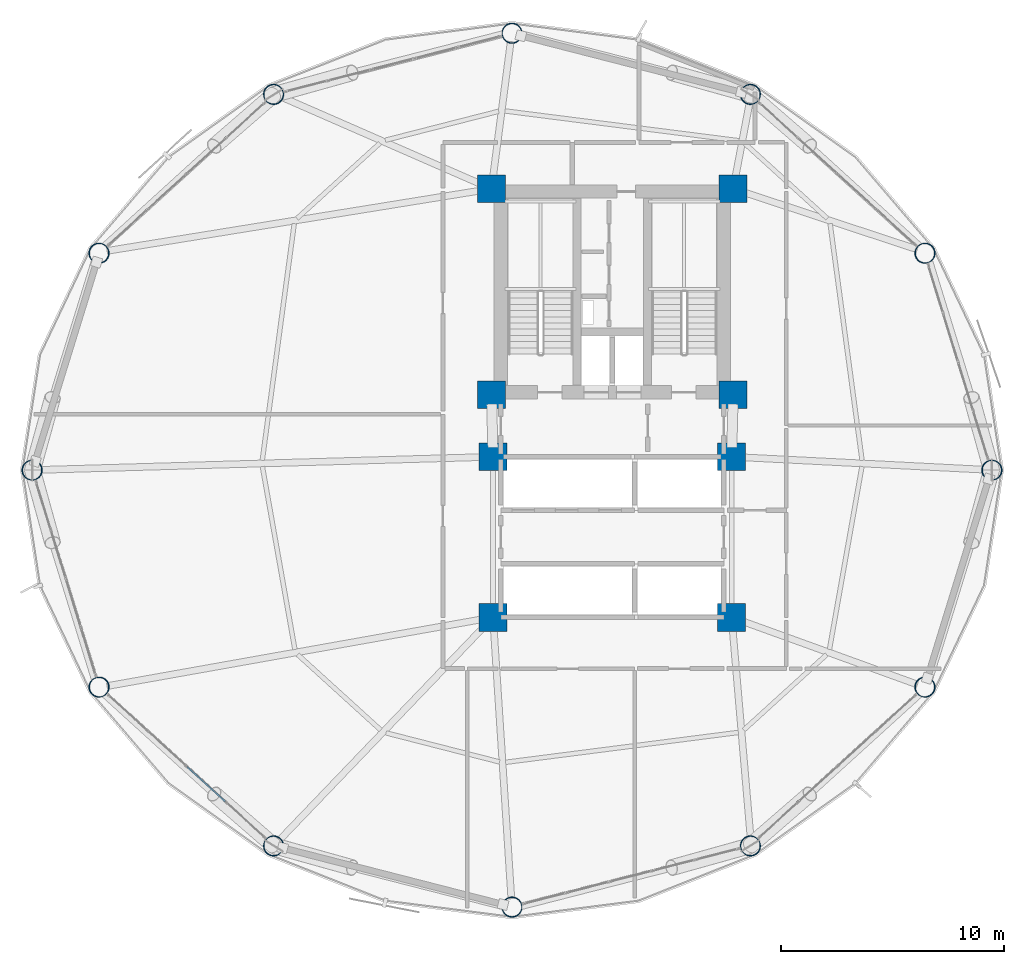
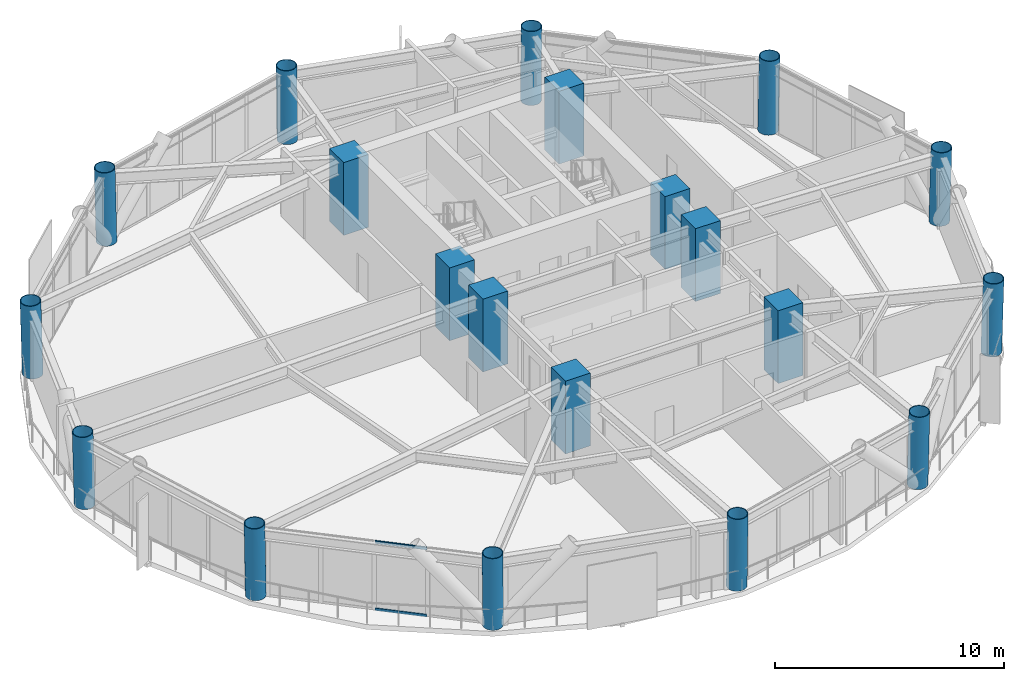
# One storey, part 1 of 25: 20 columns, 2 members, 1 element without a shape of its own.
"""IFC4 building model written with IfcOpenShell, lengths in metres."""

from ifc_helpers import new_model, si_unit, direction, frame, origin, origin_2d, place, context, subcontext, project, spatial, rectangle, hollow_rectangle, hollow_circle, extrude, material, layer, layer_set, material_profile, profile_set, type_object, element, aggregate, save


model = new_model("IFC4")

# Units and contexts
model_context = context("Model", 3, precision=1e-05, world=origin(), true_north=direction((0.0, 1.0)))
body_context = subcontext(model_context, "Body", "Model", "MODEL_VIEW")
ifc_project = project(units=[si_unit("LENGTHUNIT", "METRE"), si_unit("AREAUNIT", "SQUARE_METRE"), si_unit("VOLUMEUNIT", "CUBIC_METRE"), si_unit("PLANEANGLEUNIT", "RADIAN"), si_unit("MASSUNIT", "GRAM", prefix="KILO")], contexts=[model_context])

# Site, building, storey
site_placement = place(None, origin())
site = spatial("IfcSite", under=ifc_project, at=site_placement, CompositionType="ELEMENT")
building_placement = place(site_placement, origin())
building = spatial("IfcBuilding", under=site, at=building_placement, Name="Varnakorn Sky Granary", CompositionType="ELEMENT")
storey_placement = place(building_placement, frame((0.0, 0.0, 62.699951171875)))
storey = spatial("IfcBuildingStorey", under=building, at=storey_placement, Name="L15", CompositionType="ELEMENT", Elevation=62.699951171875)

# Columns
ifc_material_1 = material(Name="Steel S460M", Category="steel")
ifc_material_profile_1 = material_profile(ifc_material_1, hollow_circle(Radius=0.45703125, WallThickness=0.031982421875, at=origin_2d()), Name="CHS 914x32")
ifc_profile_set_1 = profile_set([ifc_material_profile_1], Name="Steel S460M")
column_type_1 = type_object("IfcColumnType", Name="COL-DC-Z1", PredefinedType="COLUMN", material=ifc_profile_set_1)
column_1_placement = place(storey_placement, frame((20.006103515625, 0.0, 0.0), z_axis=(0.026515371649, 0.0, 0.999648405724), x_axis=(0.0, 1.0, 0.0)))
element("IfcColumn", 1, at=column_1_placement, inside=storey, type_object=column_type_1, Name="Drum Perimeter Column DC01 L15", PredefinedType="COLUMN", context=body_context, shape_type="SweptSolid", body=[
    extrude(hollow_circle(Radius=0.45703125, WallThickness=0.031982421875, at=origin_2d()), origin(), (0.0, 0.0, 1.0), 3.87646484375),
])
column_2_placement = place(storey_placement, frame((17.0078125, 9.72412109375, 0.0), z_axis=(0.022989211418, 0.01014044668, 0.999684283911), x_axis=(-0.403578491135, 0.914945026487, 0.0)))
element("IfcColumn", 2, at=column_2_placement, inside=storey, type_object=column_type_1, Name="Drum Perimeter Column DC02 L15", PredefinedType="COLUMN", context=body_context, shape_type="SweptSolid", body=[
    extrude(hollow_circle(Radius=0.45703125, WallThickness=0.031982421875, at=origin_2d()), origin(), (0.0, 0.0, 1.0), 3.876220703125),
])
column_3_placement = place(storey_placement, frame((9.185546875, 16.842529296875, 0.0), z_axis=(0.013290608719, 0.017636826737, 0.999756121293), x_axis=(-0.798628839349, 0.601823875366, 0.0)))
element("IfcColumn", 3, at=column_3_placement, inside=storey, type_object=column_type_1, Name="Drum Perimeter Column DC03 L15", PredefinedType="COLUMN", context=body_context, shape_type="SweptSolid", body=[
    extrude(hollow_circle(Radius=0.45703125, WallThickness=0.031982421875, at=origin_2d()), origin(), (0.0, 0.0, 1.0), 3.8759765625),
])
column_4_placement = place(storey_placement, frame((-1.5, 19.5830078125, 0.0), z_axis=(0.0, 0.020409054637, 0.999791713553), x_axis=(-1.0, 0.0, 0.0)))
element("IfcColumn", 4, at=column_4_placement, inside=storey, type_object=column_type_1, Name="Drum Perimeter Column DC04 L15", PredefinedType="COLUMN", context=body_context, shape_type="SweptSolid", body=[
    extrude(hollow_circle(Radius=0.45703125, WallThickness=0.031982421875, at=origin_2d()), origin(), (0.0, 0.0, 1.0), 3.875732421875),
])
column_5_placement = place(storey_placement, frame((-12.185546875, 16.842529296875, 0.0), z_axis=(-0.013290608719, 0.017636826737, 0.999756121293), x_axis=(-0.798628839349, -0.601823875366, 0.0)))
element("IfcColumn", 5, at=column_5_placement, inside=storey, type_object=column_type_1, Name="Drum Perimeter Column DC05 L15", PredefinedType="COLUMN", context=body_context, shape_type="SweptSolid", body=[
    extrude(hollow_circle(Radius=0.45703125, WallThickness=0.031982421875, at=origin_2d()), origin(), (0.0, 0.0, 1.0), 3.8759765625),
])
column_6_placement = place(storey_placement, frame((-20.0078125, 9.72412109375, 0.0), z_axis=(-0.022989211418, 0.01014044668, 0.999684283911), x_axis=(-0.403578491135, -0.914945026487, 0.0)))
element("IfcColumn", 6, at=column_6_placement, inside=storey, type_object=column_type_1, Name="Drum Perimeter Column DC06 L15", PredefinedType="COLUMN", context=body_context, shape_type="SweptSolid", body=[
    extrude(hollow_circle(Radius=0.45703125, WallThickness=0.031982421875, at=origin_2d()), origin(), (0.0, 0.0, 1.0), 3.876220703125),
])
column_7_placement = place(storey_placement, frame((-23.006103515625, 0.0, 0.0), z_axis=(-0.026515371649, 0.0, 0.999648405724), x_axis=(0.0, -1.0, 0.0)))
element("IfcColumn", 7, at=column_7_placement, inside=storey, type_object=column_type_1, Name="Drum Perimeter Column DC07 L15", PredefinedType="COLUMN", context=body_context, shape_type="SweptSolid", body=[
    extrude(hollow_circle(Radius=0.45703125, WallThickness=0.031982421875, at=origin_2d()), origin(), (0.0, 0.0, 1.0), 3.87646484375),
])
column_8_placement = place(storey_placement, frame((-20.0078125, -9.72412109375, 0.0), z_axis=(-0.022989211418, -0.01014044668, 0.999684283911), x_axis=(0.403578491135, -0.914945026487, 0.0)))
element("IfcColumn", 8, at=column_8_placement, inside=storey, type_object=column_type_1, Name="Drum Perimeter Column DC08 L15", PredefinedType="COLUMN", context=body_context, shape_type="SweptSolid", body=[
    extrude(hollow_circle(Radius=0.45703125, WallThickness=0.031982421875, at=origin_2d()), origin(), (0.0, 0.0, 1.0), 3.876220703125),
])
column_9_placement = place(storey_placement, frame((-12.185546875, -16.842529296875, 0.0), z_axis=(-0.013290608719, -0.017636826737, 0.999756121293), x_axis=(0.798628839349, -0.601823875366, 0.0)))
element("IfcColumn", 9, at=column_9_placement, inside=storey, type_object=column_type_1, Name="Drum Perimeter Column DC09 L15", PredefinedType="COLUMN", context=body_context, shape_type="SweptSolid", body=[
    extrude(hollow_circle(Radius=0.45703125, WallThickness=0.031982421875, at=origin_2d()), origin(), (0.0, 0.0, 1.0), 3.8759765625),
])
column_10_placement = place(storey_placement, frame((-1.5, -19.5830078125, 0.0), z_axis=(0.0, -0.020409054637, 0.999791713553), x_axis=(1.0, 0.0, 0.0)))
element("IfcColumn", 10, at=column_10_placement, inside=storey, type_object=column_type_1, Name="Drum Perimeter Column DC10 L15", PredefinedType="COLUMN", context=body_context, shape_type="SweptSolid", body=[
    extrude(hollow_circle(Radius=0.45703125, WallThickness=0.031982421875, at=origin_2d()), origin(), (0.0, 0.0, 1.0), 3.875732421875),
])
column_11_placement = place(storey_placement, frame((9.185546875, -16.842529296875, 0.0), z_axis=(0.013290608719, -0.017636826737, 0.999756121293), x_axis=(0.798628839349, 0.601823875366, 0.0)))
element("IfcColumn", 11, at=column_11_placement, inside=storey, type_object=column_type_1, Name="Drum Perimeter Column DC11 L15", PredefinedType="COLUMN", context=body_context, shape_type="SweptSolid", body=[
    extrude(hollow_circle(Radius=0.45703125, WallThickness=0.031982421875, at=origin_2d()), origin(), (0.0, 0.0, 1.0), 3.8759765625),
])
column_12_placement = place(storey_placement, frame((17.0078125, -9.72412109375, 0.0), z_axis=(0.022989211418, -0.01014044668, 0.999684283911), x_axis=(0.403578491135, 0.914945026487, 0.0)))
element("IfcColumn", 12, at=column_12_placement, inside=storey, type_object=column_type_1, Name="Drum Perimeter Column DC12 L15", PredefinedType="COLUMN", context=body_context, shape_type="SweptSolid", body=[
    extrude(hollow_circle(Radius=0.45703125, WallThickness=0.031982421875, at=origin_2d()), origin(), (0.0, 0.0, 1.0), 3.876220703125),
])
ifc_material_2 = material(Name="Concrete C60/75", Category="concrete")
ifc_material_profile_2 = material_profile(ifc_material_2, rectangle(XDim=1.25, YDim=1.25, at=origin_2d()), Name="RC 1250x1250")
ifc_profile_set_2 = profile_set([ifc_material_profile_2], Name="Concrete C60/75")
column_type_2 = type_object("IfcColumnType", Name="COL-MC-Z1", PredefinedType="COLUMN", material=ifc_profile_set_2)
for number, where, z_axis, x_axis, name in (
    (13, (-2.419921875, 12.6201171875, 0.0), (0.0, 0.0, 1.0), (1.0, 0.0, 0.0), "Backbone Mega-Column MC1 L15"),
    (14, (8.419921875, 12.6201171875, 0.0), (0.0, 0.0, 1.0), (1.0, 0.0, 0.0), "Backbone Mega-Column MC2 L15"),
    (15, (-2.419921875, 3.3798828125, 0.0), (0.0, 0.0, 1.0), (1.0, 0.0, 0.0), "Backbone Mega-Column MC3 L15"),
    (16, (8.419921875, 3.3798828125, 0.0), (0.0, 0.0, 1.0), (1.0, 0.0, 0.0), "Backbone Mega-Column MC4 L15"),
    (17, (-2.35009765625, 0.60009765625, 0.0), (0.0, 0.0, 1.0), (1.0, 0.0, 0.0), "Backbone Mega-Column MC5 L15"),
    (18, (8.35009765625, 0.60009765625, 0.0), (0.0, 0.0, 1.0), (1.0, 0.0, 0.0), "Backbone Mega-Column MC6 L15"),
    (19, (-2.35009765625, -6.60009765625, 0.0), (0.0, 0.0, 1.0), (1.0, 0.0, 0.0), "Backbone Mega-Column MC7 L15"),
    (20, (8.35009765625, -6.60009765625, 0.0), (0.0, 0.0, 1.0), (1.0, 0.0, 0.0), "Backbone Mega-Column MC8 L15"),
):
    element("IfcColumn", number, at=place(storey_placement, frame(where, z_axis=z_axis, x_axis=x_axis)), inside=storey, type_object=column_type_2, Name=name, PredefinedType="COLUMN", context=body_context, shape_type="SweptSolid", body=[
        extrude(rectangle(XDim=1.25, YDim=1.25, at=origin_2d()), origin(), (0.0, 0.0, 1.0), 3.875),
    ])

# Curtain wall, members
ifc_material_3 = material(Name="Anodised Bronze Aluminium Alloy 6063-T6", Category="aluminium")
ifc_layer = layer(ifc_material_3, 0.18994140625, Name="Anodised Bronze Aluminium Alloy 6063-T6")
ifc_layer_set = layer_set([ifc_layer], Name="Anodised Bronze Aluminium Alloy 6063-T6")
curtain_wall_type = type_object("IfcCurtainWallType", Name="CW-FRM-1", PredefinedType="USERDEFINED", material=ifc_layer_set)
curtain_wall_placement = place(storey_placement, origin())
curtain_wall = element("IfcCurtainWall", 21, at=curtain_wall_placement, inside=storey, type_object=curtain_wall_type, Name="Unitised Curtain Wall CW3 CW-L15-B08", ObjectType="CURTAIN WALL", PredefinedType="USERDEFINED")
ifc_material_profile_3 = material_profile(ifc_material_3, hollow_rectangle(XDim=0.070068359375, YDim=0.139892578125, WallThickness=0.00341796875, at=origin_2d()), Name="ALU TRAN 70x140")
ifc_profile_set_3 = profile_set([ifc_material_profile_3], Name="Anodised Bronze Aluminium Alloy 6063-T6")
member_type = type_object("IfcMemberType", Name="CW-FRM-1-TRAN", PredefinedType="USERDEFINED", material=ifc_profile_set_3)
member_1_placement = place(storey_placement, frame((-14.358154296875, -14.865234375, 0.03515625), z_axis=(-0.739639432973, 0.673003350059, 0.0), x_axis=(-0.673003350059, -0.739639432973, 0.0)))
member_1 = element("IfcMember", 22, at=member_1_placement, type_object=member_type, Name="CW3 transom 2.1", ObjectType="TRANSOM", PredefinedType="USERDEFINED", context=body_context, shape_type="SweptSolid", body=[
    extrude(hollow_rectangle(XDim=0.070068359375, YDim=0.139892578125, WallThickness=0.00341796875, at=origin_2d()), origin(), (0.0, 0.0, 1.0), 2.3154296875),
])
member_2_placement = place(storey_placement, frame((-14.358154296875, -14.865234375, 3.60498046875), z_axis=(-0.739639432973, 0.673003350059, 0.0), x_axis=(-0.673003350059, -0.739639432973, 0.0)))
member_2 = element("IfcMember", 23, at=member_2_placement, type_object=member_type, Name="CW3 transom 2.2", ObjectType="TRANSOM", PredefinedType="USERDEFINED", context=body_context, shape_type="SweptSolid", body=[
    extrude(hollow_rectangle(XDim=0.070068359375, YDim=0.139892578125, WallThickness=0.00341796875, at=origin_2d()), origin(), (0.0, 0.0, 1.0), 2.3154296875),
])
aggregate(curtain_wall, [member_1, member_2])

save(model, "model.ifc")
